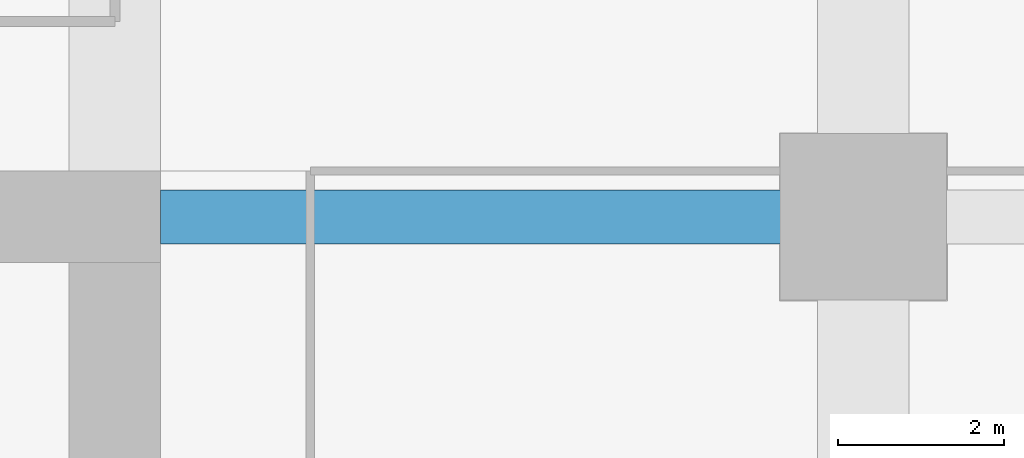
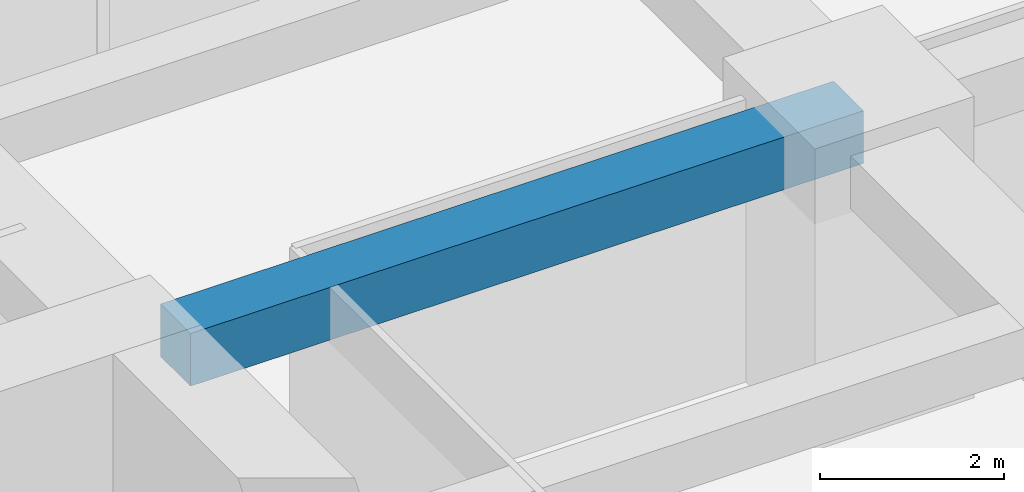
# One storey, part 31 of 41: 1 beam.
"""IFC4 building model written with IfcOpenShell, lengths in metres."""

from ifc_helpers import new_model, si_unit, direction, frame, origin, origin_2d, place, context, subcontext, project, spatial, rectangle, extrude, material, material_profile, profile_set, type_object, element, save


model = new_model("IFC4")

# Units and contexts
model_context = context("Model", 3, precision=1e-05, world=origin(), true_north=direction((0.0, 1.0)))
body_context = subcontext(model_context, "Body", "Model", "MODEL_VIEW")
ifc_project = project(units=[si_unit("LENGTHUNIT", "METRE"), si_unit("AREAUNIT", "SQUARE_METRE"), si_unit("VOLUMEUNIT", "CUBIC_METRE"), si_unit("PLANEANGLEUNIT", "RADIAN"), si_unit("MASSUNIT", "GRAM", prefix="KILO")], contexts=[model_context])

# Site, building, storey
site_placement = place(None, origin())
site = spatial("IfcSite", under=ifc_project, at=site_placement, CompositionType="ELEMENT")
building_placement = place(site_placement, origin())
building = spatial("IfcBuilding", under=site, at=building_placement, Name="Zorevar Civic Tower", CompositionType="ELEMENT")
storey_placement = place(building_placement, frame((0.0, 0.0, 113.0)))
storey = spatial("IfcBuildingStorey", under=building, at=storey_placement, Name="L27", CompositionType="ELEMENT", Elevation=113.0)

# Beam
ifc_material = material(Name="Concrete C50/60", Category="concrete")
ifc_material_profile = material_profile(ifc_material, rectangle(XDim=0.64990234375, YDim=0.699951171875, at=origin_2d()), Name="RC 650x700")
ifc_profile_set = profile_set([ifc_material_profile], Name="Concrete C50/60")
beam_type = type_object("IfcBeamType", Name="Beam RC 650x700", PredefinedType="BEAM", material=ifc_profile_set)
beam_placement = place(storey_placement, frame((45.550048828125, 36.0, 3.39990234375), z_axis=(1.0, 0.0, 0.0), x_axis=(0.0, 1.0, 0.0)))
element("IfcBeam", 1, at=beam_placement, inside=storey, type_object=beam_type, Name="Girder L28", PredefinedType="BEAM", context=body_context, shape_type="SweptSolid", body=[
    extrude(rectangle(XDim=0.64990234375, YDim=0.699951171875, at=origin_2d()), origin(), (0.0, 0.0, 1.0), 8.449951171875),
])

save(model, "model.ifc")
